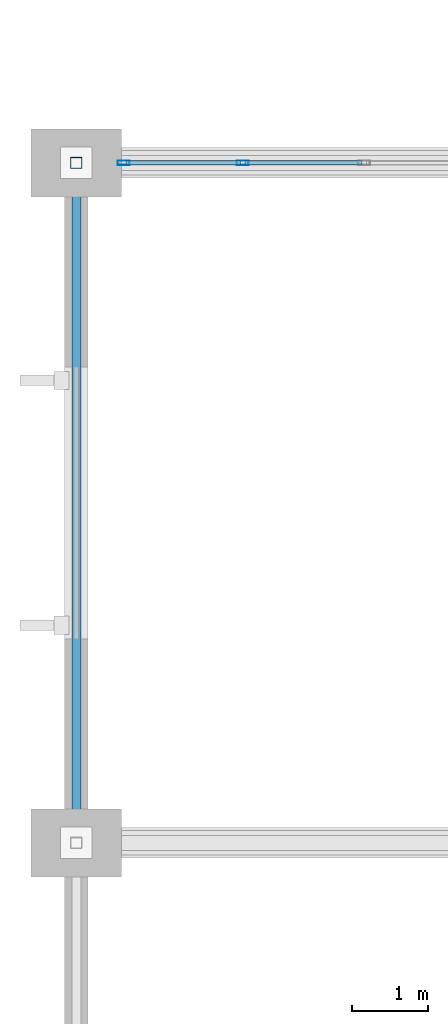
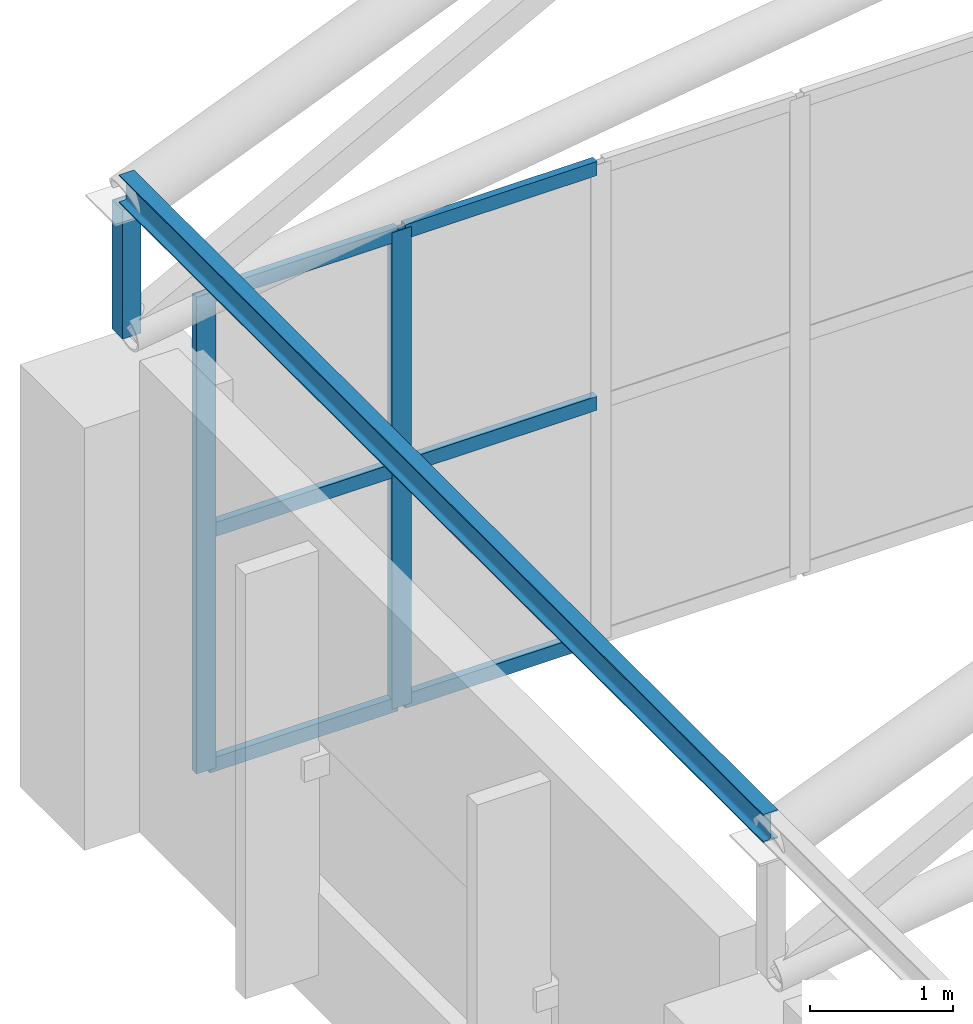
# One storey, part 101 of 167: 10 members, 1 element without a shape of its own.
"""IFC4 building model written with IfcOpenShell, lengths in metres."""

from ifc_helpers import new_model, si_unit, direction, frame, origin, origin_2d, place, context, subcontext, project, spatial, hollow_rectangle, i_section, extrude, material, layer, layer_set, material_profile, profile_set, type_object, element, aggregate, save


model = new_model("IFC4")

# Units and contexts
model_context = context("Model", 3, precision=1e-05, world=origin(), true_north=direction((0.0, 1.0)))
body_context = subcontext(model_context, "Body", "Model", "MODEL_VIEW")
ifc_project = project(units=[si_unit("LENGTHUNIT", "METRE"), si_unit("AREAUNIT", "SQUARE_METRE"), si_unit("VOLUMEUNIT", "CUBIC_METRE"), si_unit("PLANEANGLEUNIT", "RADIAN"), si_unit("MASSUNIT", "GRAM", prefix="KILO")], contexts=[model_context])

# Site, building, storey
site_placement = place(None, origin())
site = spatial("IfcSite", under=ifc_project, at=site_placement, CompositionType="ELEMENT")
building_placement = place(site_placement, origin())
building = spatial("IfcBuilding", under=site, at=building_placement, Name="Dornveld Trade and Exhibition Forum", CompositionType="ELEMENT")
storey_placement = place(building_placement, frame((0.0, 0.0, 16.800048828125)))
storey = spatial("IfcBuildingStorey", under=building, at=storey_placement, Name="L03", CompositionType="ELEMENT", Elevation=16.800048828125)

# Curtain wall, members
ifc_material_1 = material(Name="Dark-bronze anodised aluminium and low-E glass", Category="aluminium")
ifc_layer = layer(ifc_material_1, 0.18408203125)
ifc_layer_set = layer_set([ifc_layer], Name="Dark-bronze anodised aluminium and low-E glass")
curtain_wall_type = type_object("IfcCurtainWallType", Name="CW-SYS-14", PredefinedType="USERDEFINED", material=ifc_layer_set)
curtain_wall_placement = place(storey_placement, origin())
curtain_wall = element("IfcCurtainWall", 1, at=curtain_wall_placement, inside=storey, type_object=curtain_wall_type, Name="L03 unitised curtain wall 32", ObjectType="UNITISED_CURTAIN_WALL", PredefinedType="USERDEFINED")
ifc_material_2 = material(Name="Dark-bronze anodised aluminium", Category="aluminium")
ifc_material_profile_1 = material_profile(ifc_material_2, hollow_rectangle(XDim=0.06005859375, YDim=0.159912109375, WallThickness=0.00390625, at=origin_2d()), Name="RHS 160x60x4")
ifc_profile_set_1 = profile_set([ifc_material_profile_1], Name="Dark-bronze anodised aluminium")
member_type_1 = type_object("IfcMemberType", Name="CW-MUL-160", PredefinedType="MULLION", material=ifc_profile_set_1)
member_1_placement = place(storey_placement, frame((29.20263671875, 135.0, -0.004150390625), z_axis=(0.0, 0.0, 1.0), x_axis=(0.0, -1.0, 0.0)))
member_1 = element("IfcMember", 2, at=member_1_placement, type_object=member_type_1, Name="CW-14 mullion 5", PredefinedType="MULLION", context=body_context, shape_type="SweptSolid", body=[
    extrude(hollow_rectangle(XDim=0.06005859375, YDim=0.159912109375, WallThickness=0.00390625, at=origin_2d()), origin(), (0.0, 0.0, 1.0), 4.064208984375),
])
member_2_placement = place(storey_placement, frame((27.6259765625, 135.0, -0.004150390625), z_axis=(0.0, 0.0, 1.0), x_axis=(0.0, -1.0, 0.0)))
member_2 = element("IfcMember", 3, at=member_2_placement, type_object=member_type_1, Name="CW-14 mullion 6", PredefinedType="MULLION", context=body_context, shape_type="SweptSolid", body=[
    extrude(hollow_rectangle(XDim=0.06005859375, YDim=0.159912109375, WallThickness=0.00390625, at=origin_2d()), origin(), (0.0, 0.0, 1.0), 4.064208984375),
])
ifc_material_3 = material(Name="Dark-bronze anodised aluminium", Category="aluminium")
ifc_material_profile_2 = material_profile(ifc_material_3, hollow_rectangle(XDim=0.06005859375, YDim=0.1201171875, WallThickness=0.00390625, at=origin_2d()), Name="RHS 120x60x4")
ifc_profile_set_2 = profile_set([ifc_material_profile_2], Name="Dark-bronze anodised aluminium")
member_type_2 = type_object("IfcMemberType", Name="CW-TRN-120", PredefinedType="USERDEFINED", material=ifc_profile_set_2)
member_3_placement = place(storey_placement, frame((30.779296875, 135.0, 0.02587890625), z_axis=(-1.0, 0.0, 0.0), x_axis=(0.0, -1.0, 0.0)))
member_3 = element("IfcMember", 4, at=member_3_placement, type_object=member_type_2, Name="CW-14 transom 4.1", ObjectType="TRANSOM", PredefinedType="USERDEFINED", context=body_context, shape_type="SweptSolid", body=[
    extrude(hollow_rectangle(XDim=0.06005859375, YDim=0.1201171875, WallThickness=0.00390625, at=origin_2d()), origin(), (0.0, 0.0, 1.0), 1.546630859375),
])
member_4_placement = place(storey_placement, frame((30.779296875, 135.0, 2.02783203125), z_axis=(-1.0, 0.0, 0.0), x_axis=(0.0, -1.0, 0.0)))
member_4 = element("IfcMember", 5, at=member_4_placement, type_object=member_type_2, Name="CW-14 transom 4.2", ObjectType="TRANSOM", PredefinedType="USERDEFINED", context=body_context, shape_type="SweptSolid", body=[
    extrude(hollow_rectangle(XDim=0.06005859375, YDim=0.1201171875, WallThickness=0.00390625, at=origin_2d()), origin(), (0.0, 0.0, 1.0), 1.546630859375),
])
member_5_placement = place(storey_placement, frame((30.779296875, 135.0, 4.030029296875), z_axis=(-1.0, 0.0, 0.0), x_axis=(0.0, -1.0, 0.0)))
member_5 = element("IfcMember", 6, at=member_5_placement, type_object=member_type_2, Name="CW-14 transom 4.3", ObjectType="TRANSOM", PredefinedType="USERDEFINED", context=body_context, shape_type="SweptSolid", body=[
    extrude(hollow_rectangle(XDim=0.06005859375, YDim=0.1201171875, WallThickness=0.00390625, at=origin_2d()), origin(), (0.0, 0.0, 1.0), 1.546630859375),
])
member_6_placement = place(storey_placement, frame((29.172607421875, 135.0, 0.02587890625), z_axis=(-1.0, 0.0, 0.0), x_axis=(0.0, -1.0, 0.0)))
member_6 = element("IfcMember", 7, at=member_6_placement, type_object=member_type_2, Name="CW-14 transom 5.1", ObjectType="TRANSOM", PredefinedType="USERDEFINED", context=body_context, shape_type="SweptSolid", body=[
    extrude(hollow_rectangle(XDim=0.06005859375, YDim=0.1201171875, WallThickness=0.00390625, at=origin_2d()), origin(), (0.0, 0.0, 1.0), 1.5166015625),
])
member_7_placement = place(storey_placement, frame((29.172607421875, 135.0, 2.02783203125), z_axis=(-1.0, 0.0, 0.0), x_axis=(0.0, -1.0, 0.0)))
member_7 = element("IfcMember", 8, at=member_7_placement, type_object=member_type_2, Name="CW-14 transom 5.2", ObjectType="TRANSOM", PredefinedType="USERDEFINED", context=body_context, shape_type="SweptSolid", body=[
    extrude(hollow_rectangle(XDim=0.06005859375, YDim=0.1201171875, WallThickness=0.00390625, at=origin_2d()), origin(), (0.0, 0.0, 1.0), 1.5166015625),
])
member_8_placement = place(storey_placement, frame((29.172607421875, 135.0, 4.030029296875), z_axis=(-1.0, 0.0, 0.0), x_axis=(0.0, -1.0, 0.0)))
member_8 = element("IfcMember", 9, at=member_8_placement, type_object=member_type_2, Name="CW-14 transom 5.3", ObjectType="TRANSOM", PredefinedType="USERDEFINED", context=body_context, shape_type="SweptSolid", body=[
    extrude(hollow_rectangle(XDim=0.06005859375, YDim=0.1201171875, WallThickness=0.00390625, at=origin_2d()), origin(), (0.0, 0.0, 1.0), 1.5166015625),
])
aggregate(curtain_wall, [member_1, member_2, member_3, member_4, member_5, member_6, member_7, member_8])

# Members
ifc_material_4 = material(Name="Steel S355J2", Category="steel")
ifc_material_profile_3 = material_profile(ifc_material_4, hollow_rectangle(XDim=0.14990234375, YDim=0.14990234375, WallThickness=0.008056640625, at=origin_2d()), Name="SHS 150x150x8")
ifc_profile_set_3 = profile_set([ifc_material_profile_3], Name="Steel S355J2")
member_type_3 = type_object("IfcMemberType", Name="MEM-ARCH-STR", PredefinedType="STRUT", material=ifc_profile_set_3)
member_9_placement = place(storey_placement, frame((27.0, 135.0, 3.949951171875), z_axis=(0.0, 0.0, 1.0), x_axis=(1.0, 0.0, 0.0)))
element("IfcMember", 10, at=member_9_placement, inside=storey, type_object=member_type_3, Name="H3 truss 12 strut 1", PredefinedType="STRUT", context=body_context, shape_type="SweptSolid", body=[
    extrude(hollow_rectangle(XDim=0.14990234375, YDim=0.14990234375, WallThickness=0.008056640625, at=origin_2d()), origin(), (0.0, 0.0, 1.0), 1.10009765625),
])
ifc_material_5 = material(Name="Steel S355J2", Category="steel")
ifc_material_profile_4 = material_profile(ifc_material_5, i_section(OverallWidth=0.1201171875, OverallDepth=0.239990234375, WebThickness=0.006103515625, FlangeThickness=0.009765625, FilletRadius=0.014892578125, at=origin_2d()), Name="IPE 240")
ifc_profile_set_4 = profile_set([ifc_material_profile_4], Name="Steel S355J2")
member_type_4 = type_object("IfcMemberType", Name="MEM-PURLIN-240", PredefinedType="PURLIN", material=ifc_profile_set_4)
member_10_placement = place(storey_placement, frame((27.0, 126.0, 5.181884765625), z_axis=(0.0, 1.0, 0.0), x_axis=(-1.0, 0.0, 0.0)))
element("IfcMember", 11, at=member_10_placement, inside=storey, type_object=member_type_4, Name="H3 bay 11 roof purlin 1", PredefinedType="PURLIN", context=body_context, shape_type="SweptSolid", body=[
    extrude(i_section(OverallWidth=0.1201171875, OverallDepth=0.239990234375, WebThickness=0.006103515625, FlangeThickness=0.009765625, FilletRadius=0.014892578125, at=origin_2d()), origin(), (0.0, 0.0, 1.0), 9.0),
])

save(model, "model.ifc")
